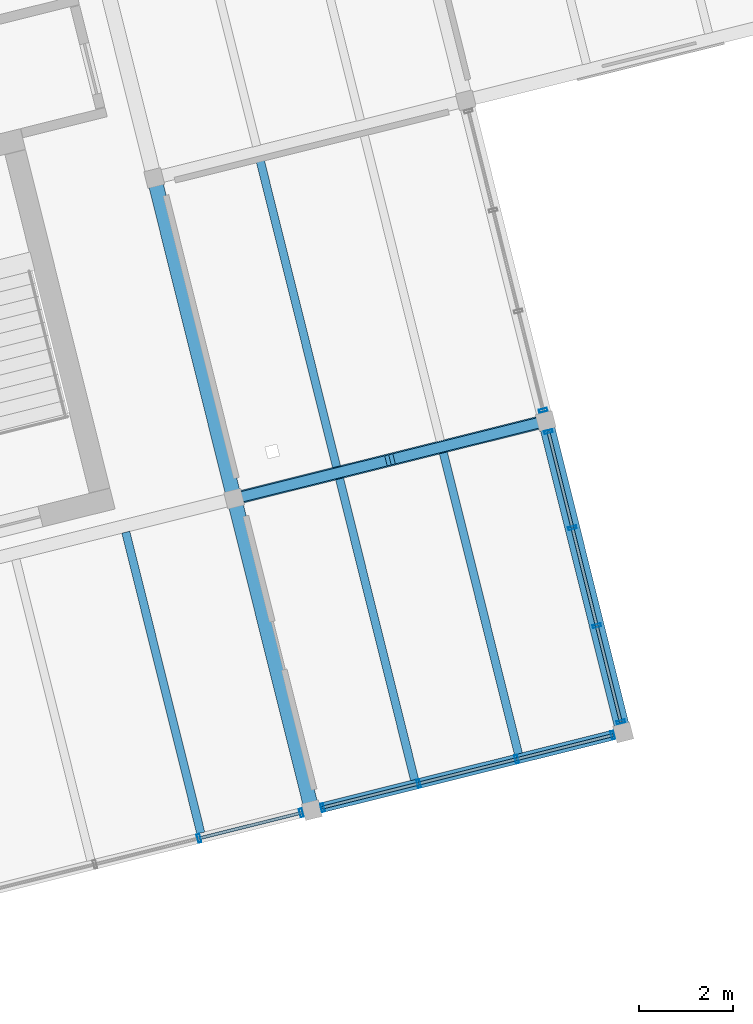
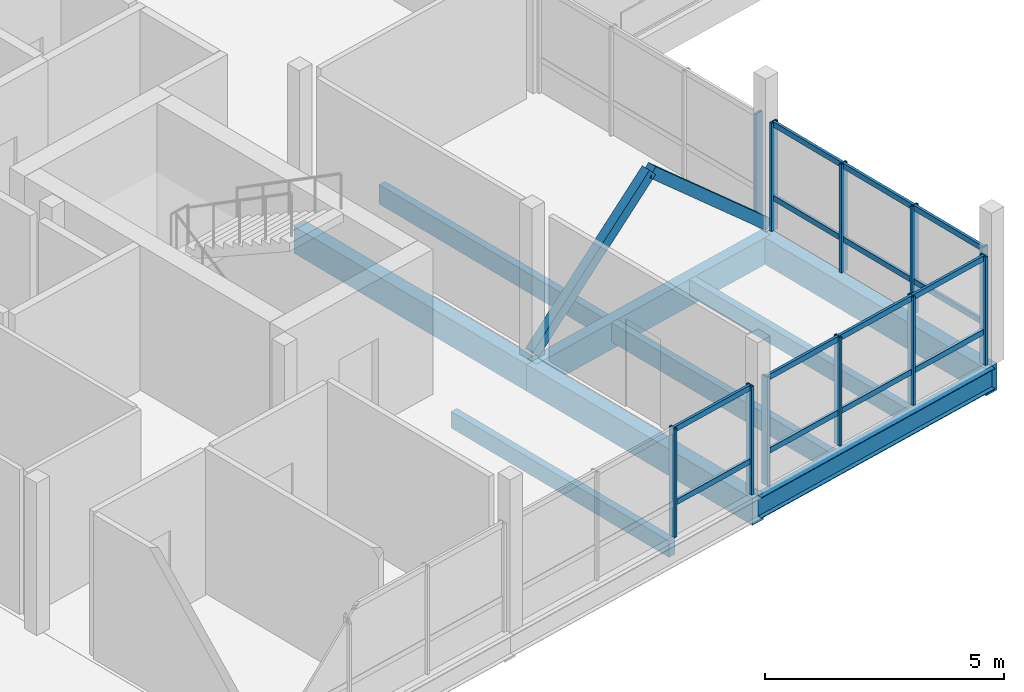
# One storey, part 11 of 26: 27 members, 9 beams, 4 elements without a shape of their own.
"""IFC4 building model written with IfcOpenShell, lengths in metres."""

from ifc_helpers import new_model, si_unit, direction, frame, origin, origin_2d, place, context, subcontext, project, spatial, rectangle, hollow_rectangle, i_section, extrude, material, layer, layer_set, material_profile, profile_set, type_object, element, aggregate, save


model = new_model("IFC4")

# Units and contexts
model_context = context("Model", 3, precision=1e-05, world=origin(), true_north=direction((0.0, 1.0)))
body_context = subcontext(model_context, "Body", "Model", "MODEL_VIEW")
ifc_project = project(units=[si_unit("LENGTHUNIT", "METRE"), si_unit("AREAUNIT", "SQUARE_METRE"), si_unit("VOLUMEUNIT", "CUBIC_METRE"), si_unit("PLANEANGLEUNIT", "RADIAN"), si_unit("MASSUNIT", "GRAM", prefix="KILO")], contexts=[model_context])

# Site, building, storey
site_placement = place(None, origin())
site = spatial("IfcSite", under=ifc_project, at=site_placement, CompositionType="ELEMENT")
building_placement = place(site_placement, origin())
building = spatial("IfcBuilding", under=site, at=building_placement, Name="Meriwether Solvik Hall", CompositionType="ELEMENT")
storey_placement = place(building_placement, frame((0.0, 0.0, 41.699951171875)))
storey = spatial("IfcBuildingStorey", under=building, at=storey_placement, Name="L10", CompositionType="ELEMENT", Elevation=41.699951171875)

# Beams
ifc_material_1 = material(Name="Glulam Douglas-Fir 24F-V8 GL28h", Category="wood")
ifc_material_profile_1 = material_profile(ifc_material_1, rectangle(XDim=0.27294921875, YDim=0.68505859375, at=origin_2d()), Name="GLB-273X685")
ifc_profile_set_1 = profile_set([ifc_material_profile_1], Name="Glulam Douglas-Fir 24F-V8 GL28h")
beam_type_1 = type_object("IfcBeamType", Name="BM-GL-273X685", PredefinedType="BEAM", material=ifc_profile_set_1)
beam_1_placement = place(storey_placement, frame((95.28759765625, 54.862060546875, -0.5224609375), z_axis=(0.970296478685, 0.241918877831, 0.0), x_axis=(-0.241918877831, 0.970296478685, 0.0)))
element("IfcBeam", 1, at=beam_1_placement, inside=storey, type_object=beam_type_1, Name="Tower Girder TB:T5-T6 (L10)", PredefinedType="BEAM", context=body_context, shape_type="SweptSolid", body=[
    extrude(rectangle(XDim=0.27294921875, YDim=0.68505859375, at=origin_2d()), origin(), (0.0, 0.0, 1.0), 6.7998046875),
])
ifc_material_2 = material(Name="Glulam Douglas-Fir 24F-V8 GL28h", Category="wood")
ifc_material_profile_2 = material_profile(ifc_material_2, rectangle(XDim=0.31494140625, YDim=0.68505859375, at=origin_2d()), Name="GLB-315X685")
ifc_profile_set_2 = profile_set([ifc_material_profile_2], Name="Glulam Douglas-Fir 24F-V8 GL28h")
beam_type_2 = type_object("IfcBeamType", Name="BM-GL-315X685", PredefinedType="BEAM", material=ifc_profile_set_2)
beam_2_placement = place(storey_placement, frame((96.9326171875, 48.26416015625, -0.5224609375), z_axis=(-0.241918877831, 0.970296478685, 0.0), x_axis=(-0.970296478685, -0.241918877831, 0.0)))
element("IfcBeam", 2, at=beam_2_placement, inside=storey, type_object=beam_type_2, Name="Tower Girder T5:TA-TB (L10)", PredefinedType="BEAM", context=body_context, shape_type="SweptSolid", body=[
    extrude(rectangle(XDim=0.31494140625, YDim=0.68505859375, at=origin_2d()), origin(), (0.0, 0.0, 1.0), 6.7998046875),
])
beam_3_placement = place(storey_placement, frame((95.28759765625, 54.862060546875, -0.5224609375), z_axis=(-0.241936527961, 0.970292077901, 0.0), x_axis=(-0.970292077901, -0.241936527961, 0.0)))
element("IfcBeam", 3, at=beam_3_placement, inside=storey, type_object=beam_type_2, Name="Tower Girder T5:TB-TC (L10)", PredefinedType="BEAM", context=body_context, shape_type="SweptSolid", body=[
    extrude(rectangle(XDim=0.31494140625, YDim=0.68505859375, at=origin_2d()), origin(), (0.0, 0.0, 1.0), 7.000244140625),
])
beam_4_placement = place(storey_placement, frame((103.53076171875, 49.9091796875, -0.5224609375), z_axis=(-0.2419526798, 0.970288050394, 0.0), x_axis=(-0.970288050394, -0.2419526798, 0.0)))
element("IfcBeam", 4, at=beam_4_placement, inside=storey, type_object=beam_type_2, Name="Tower Girder T6:TA-TB (L10)", PredefinedType="BEAM", context=body_context, shape_type="SweptSolid", body=[
    extrude(rectangle(XDim=0.31494140625, YDim=0.68505859375, at=origin_2d()), origin(), (0.0, 0.0, 1.0), 6.800048828125),
])
ifc_material_3 = material(Name="Steel A992 Grade 50", Category="steel")
ifc_material_profile_3 = material_profile(ifc_material_3, i_section(OverallWidth=0.2099609375, OverallDepth=0.537109375, WebThickness=0.010986328125, FlangeThickness=0.017333984375, at=origin_2d()), Name="W21X68")
ifc_profile_set_3 = profile_set([ifc_material_profile_3], Name="Steel A992 Grade 50")
beam_type_3 = type_object("IfcBeamType", Name="BM-STL-W21X68", PredefinedType="SPANDREL", material=ifc_profile_set_3)
beam_5_placement = place(storey_placement, frame((96.9326171875, 48.26416015625, -0.448486328125), z_axis=(0.970298579828, 0.24191045034, 0.0), x_axis=(-0.24191045034, 0.970298579828, 0.0)))
element("IfcBeam", 5, at=beam_5_placement, inside=storey, type_object=beam_type_3, Name="Tower Girder TA:T5-T6 (L10)", PredefinedType="SPANDREL", context=body_context, shape_type="SweptSolid", body=[
    extrude(i_section(OverallWidth=0.2099609375, OverallDepth=0.537109375, WebThickness=0.010986328125, FlangeThickness=0.017333984375, at=origin_2d()), origin(), (0.0, 0.0, 1.0), 6.800048828125),
])

# Curtain wall, members
ifc_material_4 = material(Name="Thermally Broken Anodised Aluminium 6063-T6 and Low-E Glass", Category="aluminium")
ifc_layer_1 = layer(ifc_material_4, 0.179931640625)
ifc_layer_set_1 = layer_set([ifc_layer_1], Name="Thermally Broken Anodised Aluminium 6063-T6 and Low-E Glass")
curtain_wall_type_1 = type_object("IfcCurtainWallType", Name="CW-UNIT-D", PredefinedType="USERDEFINED", material=ifc_layer_set_1)
curtain_wall_1_placement = place(storey_placement, origin())
curtain_wall_1 = element("IfcCurtainWall", 6, at=curtain_wall_1_placement, inside=storey, type_object=curtain_wall_type_1, Name="Curtain Wall E0_B3 (L10)", ObjectType="UNITISED CURTAIN WALL", PredefinedType="USERDEFINED")
ifc_material_5 = material(Name="Anodised Aluminium 6063-T6", Category="aluminium")
ifc_material_profile_4 = material_profile(ifc_material_5, hollow_rectangle(XDim=0.06494140625, YDim=0.179931640625, WallThickness=0.00439453125, at=origin_2d()), Name="CWM-65X180")
ifc_profile_set_4 = profile_set([ifc_material_profile_4], Name="Anodised Aluminium 6063-T6")
member_type_1 = type_object("IfcMemberType", Name="CW-MUL-65X180", PredefinedType="MULLION", material=ifc_profile_set_4)
member_1_placement = place(storey_placement, frame((96.70703125, 48.207763671875, 0.0), z_axis=(0.0, 0.0, 1.0), x_axis=(-0.97029573429, -0.241921863457, 0.0)))
member_1 = element("IfcMember", 7, at=member_1_placement, type_object=member_type_1, Name="Curtain Wall Mullion 1", PredefinedType="MULLION", context=body_context, shape_type="SweptSolid", body=[
    extrude(hollow_rectangle(XDim=0.06494140625, YDim=0.179931640625, WallThickness=0.00439453125, at=origin_2d()), origin(), (0.0, 0.0, 1.0), 2.77001953125),
])
member_2_placement = place(storey_placement, frame((94.541015625, 47.667724609375, 0.0), z_axis=(0.0, 0.0, 1.0), x_axis=(-0.97029573429, -0.241921863457, 0.0)))
member_2 = element("IfcMember", 8, at=member_2_placement, type_object=member_type_1, Name="Curtain Wall Mullion 2", PredefinedType="MULLION", context=body_context, shape_type="SweptSolid", body=[
    extrude(hollow_rectangle(XDim=0.06494140625, YDim=0.179931640625, WallThickness=0.00439453125, at=origin_2d()), origin(), (0.0, 0.0, 1.0), 2.77001953125),
])

ifc_material_6 = material(Name="Thermally Broken Anodised Aluminium 6063-T6 and Low-E Glass", Category="aluminium")
ifc_layer_2 = layer(ifc_material_6, 0.179931640625)
ifc_layer_set_2 = layer_set([ifc_layer_2], Name="Thermally Broken Anodised Aluminium 6063-T6 and Low-E Glass")
curtain_wall_type_2 = type_object("IfcCurtainWallType", Name="CW-UNIT-E", PredefinedType="USERDEFINED", material=ifc_layer_set_2)
curtain_wall_2_placement = place(storey_placement, origin())
curtain_wall_2 = element("IfcCurtainWall", 9, at=curtain_wall_2_placement, inside=storey, type_object=curtain_wall_type_2, Name="Curtain Wall E0_B4 (L10)", ObjectType="UNITISED CURTAIN WALL", PredefinedType="USERDEFINED")
member_3_placement = place(storey_placement, frame((103.304931640625, 49.85302734375, 0.0), z_axis=(0.0, 0.0, 1.0), x_axis=(-0.970295737161, -0.241921851942, 0.0)))
member_3 = element("IfcMember", 10, at=member_3_placement, type_object=member_type_1, Name="Curtain Wall Mullion 1", PredefinedType="MULLION", context=body_context, shape_type="SweptSolid", body=[
    extrude(hollow_rectangle(XDim=0.06494140625, YDim=0.179931640625, WallThickness=0.00439453125, at=origin_2d()), origin(), (0.0, 0.0, 1.0), 2.77001953125),
])
member_4_placement = place(storey_placement, frame((101.268310546875, 49.34521484375, 0.0), z_axis=(0.0, 0.0, 1.0), x_axis=(-0.970295737161, -0.241921851942, 0.0)))
member_4 = element("IfcMember", 11, at=member_4_placement, type_object=member_type_1, Name="Curtain Wall Mullion 2", PredefinedType="MULLION", context=body_context, shape_type="SweptSolid", body=[
    extrude(hollow_rectangle(XDim=0.06494140625, YDim=0.179931640625, WallThickness=0.00439453125, at=origin_2d()), origin(), (0.0, 0.0, 1.0), 2.77001953125),
])
member_5_placement = place(storey_placement, frame((99.19482421875, 48.828125, 0.0), z_axis=(0.0, 0.0, 1.0), x_axis=(-0.970295737161, -0.241921851942, 0.0)))
member_5 = element("IfcMember", 12, at=member_5_placement, type_object=member_type_1, Name="Curtain Wall Mullion 3", PredefinedType="MULLION", context=body_context, shape_type="SweptSolid", body=[
    extrude(hollow_rectangle(XDim=0.06494140625, YDim=0.179931640625, WallThickness=0.00439453125, at=origin_2d()), origin(), (0.0, 0.0, 1.0), 2.77001953125),
])
member_6_placement = place(storey_placement, frame((97.158203125, 48.3203125, 0.0), z_axis=(0.0, 0.0, 1.0), x_axis=(-0.970295737161, -0.241921851942, 0.0)))
member_6 = element("IfcMember", 13, at=member_6_placement, type_object=member_type_1, Name="Curtain Wall Mullion 4", PredefinedType="MULLION", context=body_context, shape_type="SweptSolid", body=[
    extrude(hollow_rectangle(XDim=0.06494140625, YDim=0.179931640625, WallThickness=0.00439453125, at=origin_2d()), origin(), (0.0, 0.0, 1.0), 2.77001953125),
])

ifc_material_7 = material(Name="Thermally Broken Anodised Aluminium 6063-T6 and Low-E Glass", Category="aluminium")
ifc_layer_3 = layer(ifc_material_7, 0.179931640625)
ifc_layer_set_3 = layer_set([ifc_layer_3], Name="Thermally Broken Anodised Aluminium 6063-T6 and Low-E Glass")
curtain_wall_type_3 = type_object("IfcCurtainWallType", Name="CW-UNIT-B", PredefinedType="USERDEFINED", material=ifc_layer_set_3)
curtain_wall_3_placement = place(storey_placement, origin())
curtain_wall_3 = element("IfcCurtainWall", 14, at=curtain_wall_3_placement, inside=storey, type_object=curtain_wall_type_3, Name="Curtain Wall E1_B0 (L10)", ObjectType="UNITISED CURTAIN WALL", PredefinedType="USERDEFINED")
member_7_placement = place(storey_placement, frame((101.94189453125, 56.281494140625, 0.0), z_axis=(0.0, 0.0, 1.0), x_axis=(0.241921851942, -0.970295737161, 0.0)))
member_7 = element("IfcMember", 15, at=member_7_placement, type_object=member_type_1, Name="Curtain Wall Mullion 1", PredefinedType="MULLION", context=body_context, shape_type="SweptSolid", body=[
    extrude(hollow_rectangle(XDim=0.06494140625, YDim=0.179931640625, WallThickness=0.00439453125, at=origin_2d()), origin(), (0.0, 0.0, 1.0), 2.77001953125),
])
member_8_placement = place(storey_placement, frame((102.44970703125, 54.244873046875, 0.0), z_axis=(0.0, 0.0, 1.0), x_axis=(0.241921851942, -0.970295737161, 0.0)))
member_8 = element("IfcMember", 16, at=member_8_placement, type_object=member_type_1, Name="Curtain Wall Mullion 2", PredefinedType="MULLION", context=body_context, shape_type="SweptSolid", body=[
    extrude(hollow_rectangle(XDim=0.06494140625, YDim=0.179931640625, WallThickness=0.00439453125, at=origin_2d()), origin(), (0.0, 0.0, 1.0), 2.77001953125),
])
member_9_placement = place(storey_placement, frame((102.966552734375, 52.17138671875, 0.0), z_axis=(0.0, 0.0, 1.0), x_axis=(0.241921851942, -0.970295737161, 0.0)))
member_9 = element("IfcMember", 17, at=member_9_placement, type_object=member_type_1, Name="Curtain Wall Mullion 3", PredefinedType="MULLION", context=body_context, shape_type="SweptSolid", body=[
    extrude(hollow_rectangle(XDim=0.06494140625, YDim=0.179931640625, WallThickness=0.00439453125, at=origin_2d()), origin(), (0.0, 0.0, 1.0), 2.77001953125),
])
member_10_placement = place(storey_placement, frame((103.474365234375, 50.134765625, 0.0), z_axis=(0.0, 0.0, 1.0), x_axis=(0.241921851942, -0.970295737161, 0.0)))
member_10 = element("IfcMember", 18, at=member_10_placement, type_object=member_type_1, Name="Curtain Wall Mullion 4", PredefinedType="MULLION", context=body_context, shape_type="SweptSolid", body=[
    extrude(hollow_rectangle(XDim=0.06494140625, YDim=0.179931640625, WallThickness=0.00439453125, at=origin_2d()), origin(), (0.0, 0.0, 1.0), 2.77001953125),
])

# Curtain wall, member
ifc_material_8 = material(Name="Thermally Broken Anodised Aluminium 6063-T6 and Low-E Glass", Category="aluminium")
ifc_layer_4 = layer(ifc_material_8, 0.179931640625)
ifc_layer_set_4 = layer_set([ifc_layer_4], Name="Thermally Broken Anodised Aluminium 6063-T6 and Low-E Glass")
curtain_wall_type_4 = type_object("IfcCurtainWallType", Name="CW-UNIT-C", PredefinedType="USERDEFINED", material=ifc_layer_set_4)
curtain_wall_4_placement = place(storey_placement, origin())
curtain_wall_4 = element("IfcCurtainWall", 19, at=curtain_wall_4_placement, inside=storey, type_object=curtain_wall_type_4, Name="Curtain Wall E1_B1 (L10)", ObjectType="UNITISED CURTAIN WALL", PredefinedType="USERDEFINED")
member_11_placement = place(storey_placement, frame((101.829345703125, 56.73291015625, 0.0), z_axis=(0.0, 0.0, 1.0), x_axis=(0.241921804422, -0.970295749009, 0.0)))
member_11 = element("IfcMember", 20, at=member_11_placement, type_object=member_type_1, Name="Curtain Wall Mullion 4", PredefinedType="MULLION", context=body_context, shape_type="SweptSolid", body=[
    extrude(hollow_rectangle(XDim=0.06494140625, YDim=0.179931640625, WallThickness=0.00439453125, at=origin_2d()), origin(), (0.0, 0.0, 1.0), 2.77001953125),
])
aggregate(curtain_wall_4, [member_11])

# Member
ifc_material_9 = material(Name="Anodised Aluminium 6063-T6", Category="aluminium")
ifc_material_profile_5 = material_profile(ifc_material_9, hollow_rectangle(XDim=0.06494140625, YDim=0.139892578125, WallThickness=0.00439453125, at=origin_2d()), Name="CWT-65X140")
ifc_profile_set_5 = profile_set([ifc_material_profile_5], Name="Anodised Aluminium 6063-T6")
member_type_2 = type_object("IfcMemberType", Name="CW-TRN-65X140", PredefinedType="USERDEFINED", material=ifc_profile_set_5)
member_12_placement = place(storey_placement, frame((96.70703125, 48.207763671875, 0.8310546875), z_axis=(-0.970296702868, -0.241917978668, 0.0), x_axis=(0.241917978668, -0.970296702868, 0.0)))
member_12 = element("IfcMember", 21, at=member_12_placement, type_object=member_type_2, Name="Curtain Wall Transom 1-sill", ObjectType="TRANSOM", PredefinedType="USERDEFINED", context=body_context, shape_type="SweptSolid", body=[
    extrude(hollow_rectangle(XDim=0.06494140625, YDim=0.139892578125, WallThickness=0.00439453125, at=origin_2d()), origin(), (0.0, 0.0, 1.0), 2.232421875),
])

member_13_placement = place(storey_placement, frame((96.70703125, 48.207763671875, 2.7099609375), z_axis=(-0.970296702868, -0.241917978668, 0.0), x_axis=(0.241917978668, -0.970296702868, 0.0)))
member_13 = element("IfcMember", 22, at=member_13_placement, type_object=member_type_2, Name="Curtain Wall Transom 1-head", ObjectType="TRANSOM", PredefinedType="USERDEFINED", context=body_context, shape_type="SweptSolid", body=[
    extrude(hollow_rectangle(XDim=0.06494140625, YDim=0.139892578125, WallThickness=0.00439453125, at=origin_2d()), origin(), (0.0, 0.0, 1.0), 2.232421875),
])

aggregate(curtain_wall_1, [member_1, member_2, member_12, member_13])

member_14_placement = place(storey_placement, frame((103.304931640625, 49.85302734375, 0.8310546875), z_axis=(-0.970292837531, -0.241933481427, 0.0), x_axis=(0.241933481427, -0.970292837531, 0.0)))
member_14 = element("IfcMember", 23, at=member_14_placement, type_object=member_type_2, Name="Curtain Wall Transom 1-sill", ObjectType="TRANSOM", PredefinedType="USERDEFINED", context=body_context, shape_type="SweptSolid", body=[
    extrude(hollow_rectangle(XDim=0.06494140625, YDim=0.139892578125, WallThickness=0.00439453125, at=origin_2d()), origin(), (0.0, 0.0, 1.0), 2.098876953125),
])

member_15_placement = place(storey_placement, frame((103.304931640625, 49.85302734375, 2.7099609375), z_axis=(-0.970292837531, -0.241933481427, 0.0), x_axis=(0.241933481427, -0.970292837531, 0.0)))
member_15 = element("IfcMember", 24, at=member_15_placement, type_object=member_type_2, Name="Curtain Wall Transom 1-head", ObjectType="TRANSOM", PredefinedType="USERDEFINED", context=body_context, shape_type="SweptSolid", body=[
    extrude(hollow_rectangle(XDim=0.06494140625, YDim=0.139892578125, WallThickness=0.00439453125, at=origin_2d()), origin(), (0.0, 0.0, 1.0), 2.098876953125),
])

member_16_placement = place(storey_placement, frame((101.268310546875, 49.34521484375, 0.8310546875), z_axis=(-0.970283462184, -0.241971078877, 0.0), x_axis=(0.241971078877, -0.970283462184, 0.0)))
member_16 = element("IfcMember", 25, at=member_16_placement, type_object=member_type_2, Name="Curtain Wall Transom 2-sill", ObjectType="TRANSOM", PredefinedType="USERDEFINED", context=body_context, shape_type="SweptSolid", body=[
    extrude(hollow_rectangle(XDim=0.06494140625, YDim=0.139892578125, WallThickness=0.00439453125, at=origin_2d()), origin(), (0.0, 0.0, 1.0), 2.136962890625),
])

member_17_placement = place(storey_placement, frame((101.268310546875, 49.34521484375, 2.7099609375), z_axis=(-0.970283462184, -0.241971078877, 0.0), x_axis=(0.241971078877, -0.970283462184, 0.0)))
member_17 = element("IfcMember", 26, at=member_17_placement, type_object=member_type_2, Name="Curtain Wall Transom 2-head", ObjectType="TRANSOM", PredefinedType="USERDEFINED", context=body_context, shape_type="SweptSolid", body=[
    extrude(hollow_rectangle(XDim=0.06494140625, YDim=0.139892578125, WallThickness=0.00439453125, at=origin_2d()), origin(), (0.0, 0.0, 1.0), 2.136962890625),
])

member_18_placement = place(storey_placement, frame((99.19482421875, 48.828125, 0.8310546875), z_axis=(-0.970292837531, -0.241933481427, 0.0), x_axis=(0.241933481427, -0.970292837531, 0.0)))
member_18 = element("IfcMember", 27, at=member_18_placement, type_object=member_type_2, Name="Curtain Wall Transom 3-sill", ObjectType="TRANSOM", PredefinedType="USERDEFINED", context=body_context, shape_type="SweptSolid", body=[
    extrude(hollow_rectangle(XDim=0.06494140625, YDim=0.139892578125, WallThickness=0.00439453125, at=origin_2d()), origin(), (0.0, 0.0, 1.0), 2.098876953125),
])

member_19_placement = place(storey_placement, frame((99.19482421875, 48.828125, 2.7099609375), z_axis=(-0.970292837531, -0.241933481427, 0.0), x_axis=(0.241933481427, -0.970292837531, 0.0)))
member_19 = element("IfcMember", 28, at=member_19_placement, type_object=member_type_2, Name="Curtain Wall Transom 3-head", ObjectType="TRANSOM", PredefinedType="USERDEFINED", context=body_context, shape_type="SweptSolid", body=[
    extrude(hollow_rectangle(XDim=0.06494140625, YDim=0.139892578125, WallThickness=0.00439453125, at=origin_2d()), origin(), (0.0, 0.0, 1.0), 2.098876953125),
])

aggregate(curtain_wall_2, [member_3, member_4, member_5, member_6, member_14, member_15, member_16, member_17, member_18, member_19])

member_20_placement = place(storey_placement, frame((101.94189453125, 56.281494140625, 0.8310546875), z_axis=(0.241933481427, -0.970292837531, 0.0), x_axis=(0.970292837531, 0.241933481427, 0.0)))
member_20 = element("IfcMember", 29, at=member_20_placement, type_object=member_type_2, Name="Curtain Wall Transom 1-sill", ObjectType="TRANSOM", PredefinedType="USERDEFINED", context=body_context, shape_type="SweptSolid", body=[
    extrude(hollow_rectangle(XDim=0.06494140625, YDim=0.139892578125, WallThickness=0.00439453125, at=origin_2d()), origin(), (0.0, 0.0, 1.0), 2.098876953125),
])

member_21_placement = place(storey_placement, frame((101.94189453125, 56.281494140625, 2.7099609375), z_axis=(0.241933481427, -0.970292837531, 0.0), x_axis=(0.970292837531, 0.241933481427, 0.0)))
member_21 = element("IfcMember", 30, at=member_21_placement, type_object=member_type_2, Name="Curtain Wall Transom 1-head", ObjectType="TRANSOM", PredefinedType="USERDEFINED", context=body_context, shape_type="SweptSolid", body=[
    extrude(hollow_rectangle(XDim=0.06494140625, YDim=0.139892578125, WallThickness=0.00439453125, at=origin_2d()), origin(), (0.0, 0.0, 1.0), 2.098876953125),
])

member_22_placement = place(storey_placement, frame((102.44970703125, 54.244873046875, 0.8310546875), z_axis=(0.241863518388, -0.970310279484, 0.0), x_axis=(0.970310279484, 0.241863518388, 0.0)))
member_22 = element("IfcMember", 31, at=member_22_placement, type_object=member_type_2, Name="Curtain Wall Transom 2-sill", ObjectType="TRANSOM", PredefinedType="USERDEFINED", context=body_context, shape_type="SweptSolid", body=[
    extrude(hollow_rectangle(XDim=0.06494140625, YDim=0.139892578125, WallThickness=0.00439453125, at=origin_2d()), origin(), (0.0, 0.0, 1.0), 2.136962890625),
])

member_23_placement = place(storey_placement, frame((102.44970703125, 54.244873046875, 2.7099609375), z_axis=(0.241863518388, -0.970310279484, 0.0), x_axis=(0.970310279484, 0.241863518388, 0.0)))
member_23 = element("IfcMember", 32, at=member_23_placement, type_object=member_type_2, Name="Curtain Wall Transom 2-head", ObjectType="TRANSOM", PredefinedType="USERDEFINED", context=body_context, shape_type="SweptSolid", body=[
    extrude(hollow_rectangle(XDim=0.06494140625, YDim=0.139892578125, WallThickness=0.00439453125, at=origin_2d()), origin(), (0.0, 0.0, 1.0), 2.136962890625),
])

member_24_placement = place(storey_placement, frame((102.966552734375, 52.17138671875, 0.8310546875), z_axis=(0.241933481427, -0.970292837531, 0.0), x_axis=(0.970292837531, 0.241933481427, 0.0)))
member_24 = element("IfcMember", 33, at=member_24_placement, type_object=member_type_2, Name="Curtain Wall Transom 3-sill", ObjectType="TRANSOM", PredefinedType="USERDEFINED", context=body_context, shape_type="SweptSolid", body=[
    extrude(hollow_rectangle(XDim=0.06494140625, YDim=0.139892578125, WallThickness=0.00439453125, at=origin_2d()), origin(), (0.0, 0.0, 1.0), 2.098876953125),
])

member_25_placement = place(storey_placement, frame((102.966552734375, 52.17138671875, 2.7099609375), z_axis=(0.241933481427, -0.970292837531, 0.0), x_axis=(0.970292837531, 0.241933481427, 0.0)))
member_25 = element("IfcMember", 34, at=member_25_placement, type_object=member_type_2, Name="Curtain Wall Transom 3-head", ObjectType="TRANSOM", PredefinedType="USERDEFINED", context=body_context, shape_type="SweptSolid", body=[
    extrude(hollow_rectangle(XDim=0.06494140625, YDim=0.139892578125, WallThickness=0.00439453125, at=origin_2d()), origin(), (0.0, 0.0, 1.0), 2.098876953125),
])

aggregate(curtain_wall_3, [member_7, member_8, member_9, member_10, member_20, member_21, member_22, member_23, member_24, member_25])

# Beams
ifc_material_10 = material(Name="Glulam Douglas-Fir 24F-V8 GL28h", Category="wood")
ifc_material_profile_6 = material_profile(ifc_material_10, rectangle(XDim=0.175048828125, YDim=0.419921875, at=origin_2d()), Name="GLJ-175X420")
ifc_profile_set_6 = profile_set([ifc_material_profile_6], Name="Glulam Douglas-Fir 24F-V8 GL28h")
beam_type_4 = type_object("IfcBeamType", Name="JST-GL-175X420", PredefinedType="JOIST", material=ifc_profile_set_6)
beam_6_placement = place(storey_placement, frame((94.579833984375, 47.780517578125, -0.389892578125), z_axis=(-0.24193213069, 0.970293174324, 0.0), x_axis=(-0.970293174324, -0.24193213069, 0.0)))
element("IfcBeam", 35, at=beam_6_placement, inside=storey, type_object=beam_type_4, Name="Glulam Floor Joist T4/TA-J2 (L10)", PredefinedType="JOIST", context=body_context, shape_type="SweptSolid", body=[
    extrude(rectangle(XDim=0.175048828125, YDim=0.419921875, at=origin_2d()), origin(), (0.0, 0.0, 1.0), 6.568359375),
])
beam_7_placement = place(storey_placement, frame((101.30712890625, 49.457763671875, -0.389892578125), z_axis=(-0.241923405787, 0.970295349743, 0.0), x_axis=(-0.970295349743, -0.241923405787, 0.0)))
element("IfcBeam", 36, at=beam_7_placement, inside=storey, type_object=beam_type_4, Name="Glulam Floor Joist T5/TA-J2 (L10)", PredefinedType="JOIST", context=body_context, shape_type="SweptSolid", body=[
    extrude(rectangle(XDim=0.175048828125, YDim=0.419921875, at=origin_2d()), origin(), (0.0, 0.0, 1.0), 6.568603515625),
])
ifc_material_11 = material(Name="Glulam Douglas-Fir 24F-V8 GL28h", Category="wood")
ifc_material_profile_7 = material_profile(ifc_material_11, rectangle(XDim=0.175048828125, YDim=0.4951171875, at=origin_2d()), Name="GLJ-175X495")
ifc_profile_set_7 = profile_set([ifc_material_profile_7], Name="Glulam Douglas-Fir 24F-V8 GL28h")
beam_type_5 = type_object("IfcBeamType", Name="JST-GL-175X495", PredefinedType="JOIST", material=ifc_profile_set_7)
beam_8_placement = place(storey_placement, frame((99.10791015625, 48.909423828125, -0.427490234375), z_axis=(-0.241923405787, 0.970295349743, 0.0), x_axis=(-0.970295349743, -0.241923405787, 0.0)))
element("IfcBeam", 37, at=beam_8_placement, inside=storey, type_object=beam_type_5, Name="Glulam Floor Joist T5/TA-J1 (L10)", PredefinedType="JOIST", context=body_context, shape_type="SweptSolid", body=[
    extrude(rectangle(XDim=0.175048828125, YDim=0.4951171875, at=origin_2d()), origin(), (0.0, 0.0, 1.0), 6.568603515625),
])
beam_9_placement = place(storey_placement, frame((97.455078125, 55.5380859375, -0.427490234375), z_axis=(-0.241930176813, 0.9702936615, 0.0), x_axis=(-0.9702936615, -0.241930176813, 0.0)))
element("IfcBeam", 38, at=beam_9_placement, inside=storey, type_object=beam_type_5, Name="Glulam Floor Joist T5/TB-J1 (L10)", PredefinedType="JOIST", context=body_context, shape_type="SweptSolid", body=[
    extrude(rectangle(XDim=0.175048828125, YDim=0.4951171875, at=origin_2d()), origin(), (0.0, 0.0, 1.0), 6.737060546875),
])

# Members
ifc_material_12 = material(Name="Glulam Douglas-Fir 24F-V8 GL28h", Category="wood")
ifc_material_profile_8 = material_profile(ifc_material_12, rectangle(XDim=0.221923828125, YDim=0.26708984375, at=origin_2d()), Name="GLM-222X267")
ifc_profile_set_8 = profile_set([ifc_material_profile_8], Name="Glulam Douglas-Fir 24F-V8 GL28h")
member_type_3 = type_object("IfcMemberType", Name="MEM-BR-GL222", PredefinedType="BRACE", material=ifc_profile_set_8)
member_26_placement = place(storey_placement, frame((95.28759765625, 54.862060546875, 0.050048828125), z_axis=(0.727053885191, 0.181265784001, 0.662220026562), x_axis=(-0.24191045034, 0.970298579828, 0.0)))
element("IfcMember", 39, at=member_26_placement, inside=storey, type_object=member_type_3, Name="Tower Chevron Brace L10-B3A", PredefinedType="BRACE", context=body_context, shape_type="SweptSolid", body=[
    extrude(rectangle(XDim=0.221923828125, YDim=0.26708984375, at=origin_2d()), origin(), (0.0, 0.0, 1.0), 4.53759765625),
])
member_27_placement = place(storey_placement, frame((101.885498046875, 56.507080078125, 0.050048828125), z_axis=(-0.727028520877, -0.181272874988, 0.662245932131), x_axis=(0.241927305891, -0.970294377323, 0.0)))
element("IfcMember", 40, at=member_27_placement, inside=storey, type_object=member_type_3, Name="Tower Chevron Brace L10-B3B", PredefinedType="BRACE", context=body_context, shape_type="SweptSolid", body=[
    extrude(rectangle(XDim=0.221923828125, YDim=0.26708984375, at=origin_2d()), origin(), (0.0, 0.0, 1.0), 4.537353515625),
])

save(model, "model.ifc")
